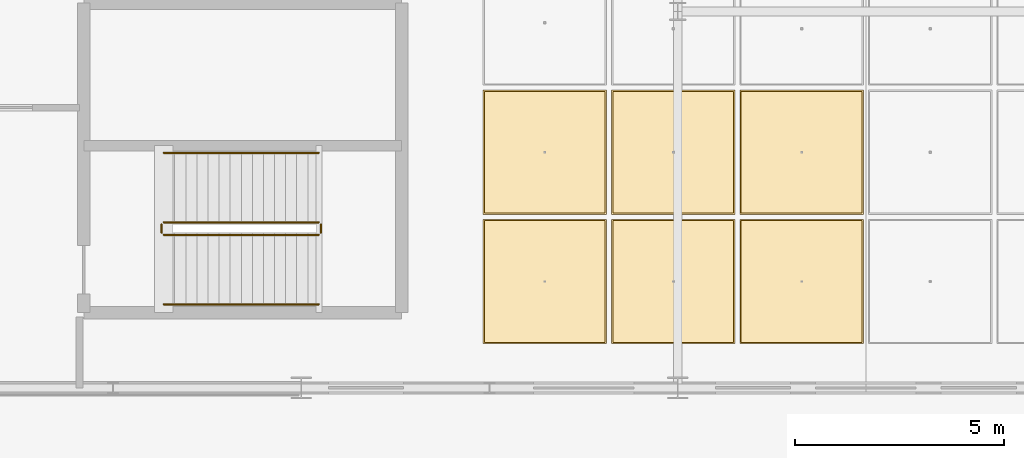
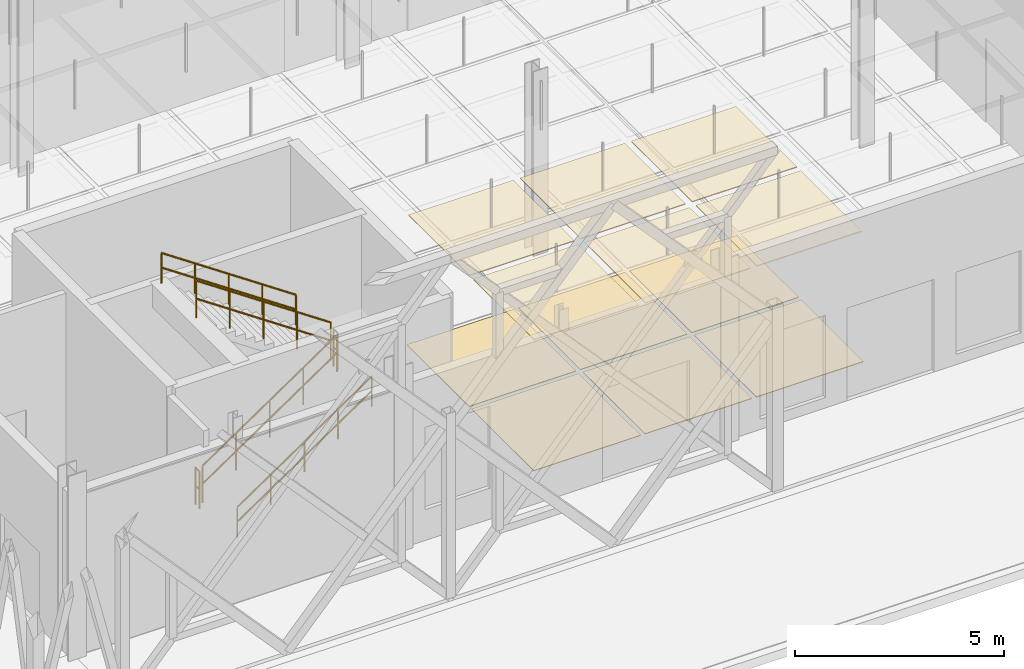
# One storey, part 163 of 180: 12 coverings, 6 railings.
"""IFC4 building model written with IfcOpenShell, lengths in metres."""

from ifc_helpers import new_model, si_unit, direction, frame, origin, origin_2d, place, context, subcontext, project, spatial, rectangle, circle, extrude, material, layer, layer_set, type_object, element, save


model = new_model("IFC4")

# Units and contexts
model_context = context("Model", 3, precision=1e-05, world=origin(), true_north=direction((0.0, 1.0)))
body_context = subcontext(model_context, "Body", "Model", "MODEL_VIEW")
ifc_project = project(units=[si_unit("LENGTHUNIT", "METRE"), si_unit("AREAUNIT", "SQUARE_METRE"), si_unit("VOLUMEUNIT", "CUBIC_METRE"), si_unit("PLANEANGLEUNIT", "RADIAN"), si_unit("MASSUNIT", "GRAM", prefix="KILO"), si_unit("THERMODYNAMICTEMPERATUREUNIT", "KELVIN"), si_unit("POWERUNIT", "WATT")], contexts=[model_context])

# Site, building, storey
site_placement = place(None, origin())
site = spatial("IfcSite", under=ifc_project, at=site_placement, CompositionType="ELEMENT")
building_placement = place(site_placement, origin())
building = spatial("IfcBuilding", under=site, at=building_placement, Name="Tallowbark Science Centre", CompositionType="ELEMENT")
storey_placement = place(building_placement, origin())
storey = spatial("IfcBuildingStorey", under=building, at=storey_placement, Name="L00", CompositionType="ELEMENT", Elevation=0.0)

# Coverings
ifc_material_1 = material(Name="Perforated Spotted Gum Acoustic Baffle Ceiling", Category="wood")
ifc_layer_1 = layer(ifc_material_1, 0.02490234375)
ifc_layer_set_1 = layer_set([ifc_layer_1], Name="Perforated Spotted Gum Acoustic Baffle Ceiling")
covering_type_1 = type_object("IfcCoveringType", Name="CLG-TIM-25", PredefinedType="CEILING", material=ifc_layer_set_1)
for number, where, z_axis, x_axis, name in (
    (1, (73.3212890625, 7.04541015625, 3.78759765625), (0.0, 0.0, 1.0), (1.0, 0.0, 0.0), "Suspended Ceiling L00-107"),
    (2, (73.3212890625, 10.136474609375, 3.78759765625), (0.0, 0.0, 1.0), (1.0, 0.0, 0.0), "Suspended Ceiling L00-108"),
    (3, (76.392822265625, 7.04541015625, 3.78759765625), (0.0, 0.0, 1.0), (1.0, 0.0, 0.0), "Suspended Ceiling L00-118"),
    (4, (76.392822265625, 10.136474609375, 3.78759765625), (0.0, 0.0, 1.0), (1.0, 0.0, 0.0), "Suspended Ceiling L00-119"),
    (5, (79.46435546875, 7.04541015625, 3.78759765625), (0.0, 0.0, 1.0), (1.0, 0.0, 0.0), "Suspended Ceiling L00-129"),
    (6, (79.46435546875, 10.136474609375, 3.78759765625), (0.0, 0.0, 1.0), (1.0, 0.0, 0.0), "Suspended Ceiling L00-130"),
):
    element("IfcCovering", number, at=place(storey_placement, frame(where, z_axis=z_axis, x_axis=x_axis)), inside=storey, type_object=covering_type_1, Name=name, PredefinedType="CEILING", context=body_context, shape_type="SweptSolid", body=[
        extrude(rectangle(XDim=2.891357421875, YDim=2.910888671875, at=origin_2d()), origin(), (0.0, 0.0, 1.0), 0.02490234375),
    ])
ifc_material_2 = material(Name="Polished Recycled-Glass Terrazzo Foyer Flooring", Category="glass")
ifc_layer_2 = layer(ifc_material_2, 0.02001953125)
ifc_layer_set_2 = layer_set([ifc_layer_2], Name="Polished Recycled-Glass Terrazzo Foyer Flooring")
covering_type_2 = type_object("IfcCoveringType", Name="FLR-TER-20", PredefinedType="FLOORING", material=ifc_layer_set_2)
for number, where, z_axis, x_axis, name in (
    (7, (73.3212890625, 7.04541015625, 0.0), (0.0, 0.0, 1.0), (1.0, 0.0, 0.0), "Floor Finish L00-107"),
    (8, (73.3212890625, 10.136474609375, 0.0), (0.0, 0.0, 1.0), (1.0, 0.0, 0.0), "Floor Finish L00-108"),
    (9, (76.392822265625, 7.04541015625, 0.0), (0.0, 0.0, 1.0), (1.0, 0.0, 0.0), "Floor Finish L00-118"),
    (10, (76.392822265625, 10.136474609375, 0.0), (0.0, 0.0, 1.0), (1.0, 0.0, 0.0), "Floor Finish L00-119"),
    (11, (79.46435546875, 7.04541015625, 0.0), (0.0, 0.0, 1.0), (1.0, 0.0, 0.0), "Floor Finish L00-129"),
    (12, (79.46435546875, 10.136474609375, 0.0), (0.0, 0.0, 1.0), (1.0, 0.0, 0.0), "Floor Finish L00-130"),
):
    element("IfcCovering", number, at=place(storey_placement, frame(where, z_axis=z_axis, x_axis=x_axis)), inside=storey, type_object=covering_type_2, Name=name, PredefinedType="FLOORING", context=body_context, shape_type="SweptSolid", body=[
        extrude(rectangle(XDim=2.951416015625, YDim=2.970947265625, at=origin_2d()), origin(), (0.0, 0.0, 1.0), 0.02001953125),
    ])

# Railings
ifc_material_3 = material(Name="Galvanised Painted Steel and Laminated Glass Balustrade", Category="steel")
ifc_layer_3 = layer(ifc_material_3, 0.070068359375)
ifc_layer_set_3 = layer_set([ifc_layer_3], Name="Galvanised Painted Steel and Laminated Glass Balustrade")
railing_type_1 = type_object("IfcRailingType", Name="RLG-BAL-1150", PredefinedType="BALUSTRADE", material=ifc_layer_set_3)
railing_1_placement = place(storey_placement, frame((64.2099609375, 8.159912109375, 0.179931640625)))
element("IfcRailing", 13, at=railing_1_placement, inside=storey, type_object=railing_type_1, Name="L00 ST-07 stair guard 1", PredefinedType="BALUSTRADE", context=body_context, shape_type="SweptSolid", body=[
    extrude(circle(Radius=0.02392578125, at=origin_2d()), frame((0.0, 0.0, 1.076171875), z_axis=(0.827211917306, 0.0, 0.561890063861), x_axis=(0.0, 1.0, 0.0)), (0.0, 0.0, 1.0), 4.48486328125),
    extrude(circle(Radius=0.02392578125, at=origin_2d()), frame((0.0, 0.0, 0.550048828125), z_axis=(0.827211917306, 0.0, 0.561890063861), x_axis=(0.0, 1.0, 0.0)), (0.0, 0.0, 1.0), 4.48486328125),
    extrude(circle(Radius=0.02099609375, at=origin_2d()), origin(), (0.0, 0.0, 1.0), 1.052001953125),
    extrude(circle(Radius=0.02099609375, at=origin_2d()), frame((0.927490234375, 0.0, 0.6298828125)), (0.0, 0.0, 1.0), 1.052001953125),
    extrude(circle(Radius=0.02099609375, at=origin_2d()), frame((1.85498046875, 0.0, 1.260009765625)), (0.0, 0.0, 1.0), 1.052001953125),
    extrude(circle(Radius=0.02099609375, at=origin_2d()), frame((2.782470703125, 0.0, 1.89013671875)), (0.0, 0.0, 1.0), 1.052001953125),
    extrude(circle(Radius=0.02099609375, at=origin_2d()), frame((3.7099609375, 0.0, 2.52001953125)), (0.0, 0.0, 1.0), 1.052001953125),
])
railing_2_placement = place(storey_placement, frame((67.969970703125, 8.2099609375, 2.699951171875)))
element("IfcRailing", 14, at=railing_2_placement, inside=storey, type_object=railing_type_1, Name="L00 ST-07 stair guard 2", PredefinedType="BALUSTRADE", context=body_context, shape_type="SweptSolid", body=[
    extrude(circle(Radius=0.02392578125, at=origin_2d()), frame((0.0, 0.0, 1.076171875), z_axis=(0.0, 1.0, 0.0), x_axis=(-1.0, 0.0, 0.0)), (0.0, 0.0, 1.0), 0.199951171875),
    extrude(circle(Radius=0.02392578125, at=origin_2d()), frame((0.0, 0.0, 0.550048828125), z_axis=(0.0, 1.0, 0.0), x_axis=(-1.0, 0.0, 0.0)), (0.0, 0.0, 1.0), 0.199951171875),
    extrude(circle(Radius=0.02099609375, at=origin_2d()), origin(), (0.0, 0.0, 1.0), 1.052001953125),
    extrude(circle(Radius=0.02099609375, at=origin_2d()), frame((0.0, 0.199951171875, 0.0)), (0.0, 0.0, 1.0), 1.052001953125),
])
railing_3_placement = place(storey_placement, frame((67.919921875, 8.4599609375, 2.8798828125)))
element("IfcRailing", 15, at=railing_3_placement, inside=storey, type_object=railing_type_1, Name="L00 ST-07 stair guard 3", PredefinedType="BALUSTRADE", context=body_context, shape_type="SweptSolid", body=[
    extrude(circle(Radius=0.02392578125, at=origin_2d()), frame((0.0, 0.0, 1.076171875), z_axis=(-0.827211917306, 0.0, 0.561890063861), x_axis=(0.0, -1.0, 0.0)), (0.0, 0.0, 1.0), 4.48486328125),
    extrude(circle(Radius=0.02392578125, at=origin_2d()), frame((0.0, 0.0, 0.550048828125), z_axis=(-0.827211917306, 0.0, 0.561890063861), x_axis=(0.0, -1.0, 0.0)), (0.0, 0.0, 1.0), 4.48486328125),
    extrude(circle(Radius=0.02099609375, at=origin_2d()), origin(), (0.0, 0.0, 1.0), 1.052001953125),
    extrude(circle(Radius=0.02099609375, at=origin_2d()), frame((-0.927490234375, 0.0, 0.6298828125)), (0.0, 0.0, 1.0), 1.052001953125),
    extrude(circle(Radius=0.02099609375, at=origin_2d()), frame((-1.85498046875, 0.0, 1.260009765625)), (0.0, 0.0, 1.0), 1.052001953125),
    extrude(circle(Radius=0.02099609375, at=origin_2d()), frame((-2.782470703125, 0.0, 1.89013671875)), (0.0, 0.0, 1.0), 1.052001953125),
    extrude(circle(Radius=0.02099609375, at=origin_2d()), frame((-3.7099609375, 0.0, 2.52001953125)), (0.0, 0.0, 1.0), 1.052001953125),
])
railing_4_placement = place(storey_placement, frame((64.159912109375, 8.2099609375, 0.0)))
element("IfcRailing", 16, at=railing_4_placement, inside=storey, type_object=railing_type_1, Name="L00 ST-07 stair guard 4", PredefinedType="BALUSTRADE", context=body_context, shape_type="SweptSolid", body=[
    extrude(circle(Radius=0.02392578125, at=origin_2d()), frame((0.0, 0.0, 1.076171875), z_axis=(0.0, 1.0, 0.0), x_axis=(-1.0, 0.0, 0.0)), (0.0, 0.0, 1.0), 0.199951171875),
    extrude(circle(Radius=0.02392578125, at=origin_2d()), frame((0.0, 0.0, 0.550048828125), z_axis=(0.0, 1.0, 0.0), x_axis=(-1.0, 0.0, 0.0)), (0.0, 0.0, 1.0), 0.199951171875),
    extrude(circle(Radius=0.02099609375, at=origin_2d()), origin(), (0.0, 0.0, 1.0), 1.052001953125),
    extrude(circle(Radius=0.02099609375, at=origin_2d()), frame((0.0, 0.199951171875, 0.0)), (0.0, 0.0, 1.0), 1.052001953125),
])
ifc_material_4 = material(Name="Brushed Grade 316 Stainless Steel Handrail", Category="steel")
ifc_layer_4 = layer(ifc_material_4, 0.050048828125)
ifc_layer_set_4 = layer_set([ifc_layer_4], Name="Brushed Grade 316 Stainless Steel Handrail")
railing_type_2 = type_object("IfcRailingType", Name="RLG-HDR-950", PredefinedType="HANDRAIL", material=ifc_layer_set_4)
railing_5_placement = place(storey_placement, frame((64.2099609375, 6.5, 0.179931640625)))
element("IfcRailing", 17, at=railing_5_placement, inside=storey, type_object=railing_type_2, Name="L00 ST-07 stair handrail 1", PredefinedType="HANDRAIL", context=body_context, shape_type="SweptSolid", body=[
    extrude(circle(Radius=0.02392578125, at=origin_2d()), frame((0.0, 0.0, 0.8759765625), z_axis=(0.827211917306, 0.0, 0.561890063861), x_axis=(0.0, 1.0, 0.0)), (0.0, 0.0, 1.0), 4.48486328125),
    extrude(circle(Radius=0.02392578125, at=origin_2d()), frame((0.0, 0.0, 0.449951171875), z_axis=(0.827211917306, 0.0, 0.561890063861), x_axis=(0.0, 1.0, 0.0)), (0.0, 0.0, 1.0), 4.48486328125),
    extrude(circle(Radius=0.02099609375, at=origin_2d()), origin(), (0.0, 0.0, 1.0), 0.851806640625),
    extrude(circle(Radius=0.02099609375, at=origin_2d()), frame((0.927490234375, 0.0, 0.6298828125)), (0.0, 0.0, 1.0), 0.851806640625),
    extrude(circle(Radius=0.02099609375, at=origin_2d()), frame((1.85498046875, 0.0, 1.260009765625)), (0.0, 0.0, 1.0), 0.851806640625),
    extrude(circle(Radius=0.02099609375, at=origin_2d()), frame((2.782470703125, 0.0, 1.89013671875)), (0.0, 0.0, 1.0), 0.851806640625),
    extrude(circle(Radius=0.02099609375, at=origin_2d()), frame((3.7099609375, 0.0, 2.52001953125)), (0.0, 0.0, 1.0), 0.851806640625),
])
railing_6_placement = place(storey_placement, frame((67.919921875, 10.1201171875, 2.8798828125)))
element("IfcRailing", 18, at=railing_6_placement, inside=storey, type_object=railing_type_2, Name="L00 ST-07 stair handrail 2", PredefinedType="HANDRAIL", context=body_context, shape_type="SweptSolid", body=[
    extrude(circle(Radius=0.02392578125, at=origin_2d()), frame((0.0, 0.0, 0.8759765625), z_axis=(-0.827211917306, 0.0, 0.561890063861), x_axis=(0.0, -1.0, 0.0)), (0.0, 0.0, 1.0), 4.48486328125),
    extrude(circle(Radius=0.02392578125, at=origin_2d()), frame((0.0, 0.0, 0.449951171875), z_axis=(-0.827211917306, 0.0, 0.561890063861), x_axis=(0.0, -1.0, 0.0)), (0.0, 0.0, 1.0), 4.48486328125),
    extrude(circle(Radius=0.02099609375, at=origin_2d()), origin(), (0.0, 0.0, 1.0), 0.851806640625),
    extrude(circle(Radius=0.02099609375, at=origin_2d()), frame((-0.927490234375, 0.0, 0.6298828125)), (0.0, 0.0, 1.0), 0.851806640625),
    extrude(circle(Radius=0.02099609375, at=origin_2d()), frame((-1.85498046875, 0.0, 1.260009765625)), (0.0, 0.0, 1.0), 0.851806640625),
    extrude(circle(Radius=0.02099609375, at=origin_2d()), frame((-2.782470703125, 0.0, 1.89013671875)), (0.0, 0.0, 1.0), 0.851806640625),
    extrude(circle(Radius=0.02099609375, at=origin_2d()), frame((-3.7099609375, 0.0, 2.52001953125)), (0.0, 0.0, 1.0), 0.851806640625),
])

save(model, "model.ifc")
